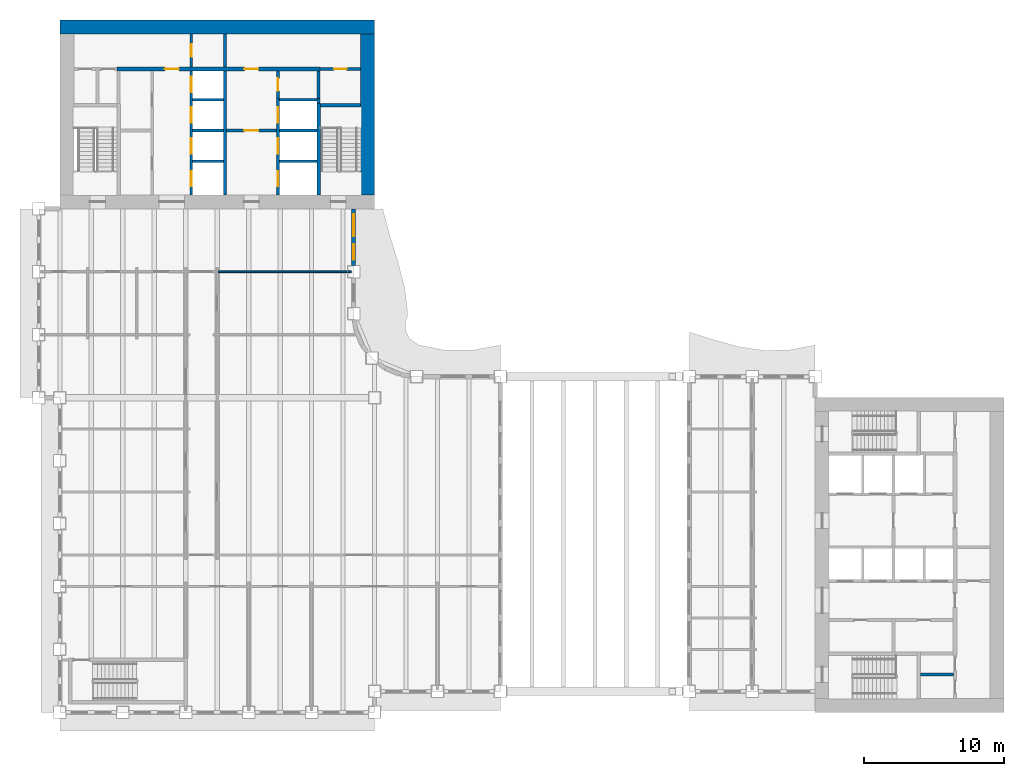
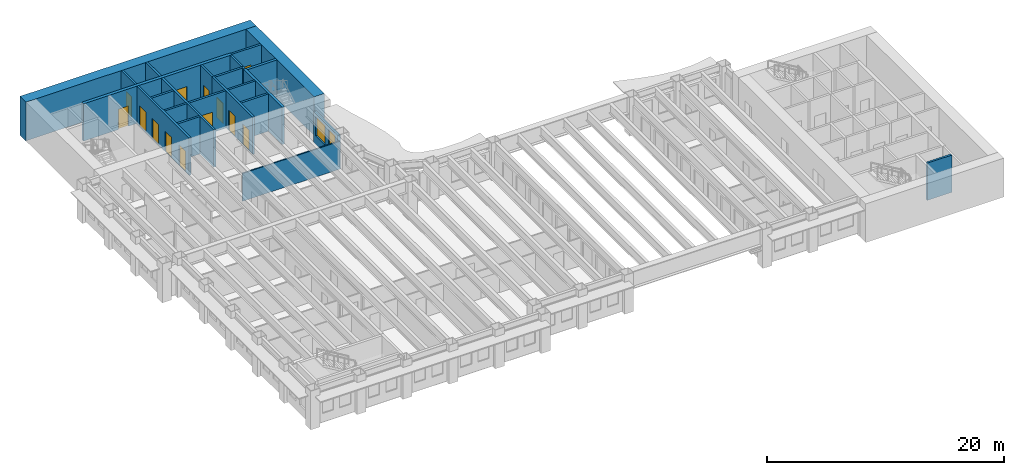
# One storey, part 8 of 13: 24 walls, 13 doors, 2 windows, 15 openings.
"""IFC4 building model written with IfcOpenShell, lengths in metres."""

from ifc_helpers import new_model, si_unit, direction, frame, frame_2d, origin, place, context, subcontext, project, spatial, rectangle, extrude, material, layer, layer_set, type_object, element, fill, save


model = new_model("IFC4")

# Units and contexts
model_context = context("Model", 3, precision=1e-05, world=origin(), true_north=direction((0.0, 1.0)))
body_context = subcontext(model_context, "Body", "Model", "MODEL_VIEW")
ifc_project = project(units=[si_unit("LENGTHUNIT", "METRE"), si_unit("AREAUNIT", "SQUARE_METRE"), si_unit("VOLUMEUNIT", "CUBIC_METRE"), si_unit("PLANEANGLEUNIT", "RADIAN"), si_unit("MASSUNIT", "GRAM", prefix="KILO")], contexts=[model_context])

# Site, building, storey
site_placement = place(None, origin())
site = spatial("IfcSite", under=ifc_project, at=site_placement, CompositionType="ELEMENT")
building_placement = place(site_placement, origin())
building = spatial("IfcBuilding", under=site, at=building_placement, Name="Sennacour Bend Tower", CompositionType="ELEMENT")
storey_placement = place(building_placement, frame((0.0, 0.0, 147.0)))
storey = spatial("IfcBuildingStorey", under=building, at=storey_placement, Name="L33", CompositionType="ELEMENT", Elevation=147.0)

# Walls
ifc_material_1 = material(Name="Concrete C60/75", Category="concrete")
ifc_layer_1 = layer(ifc_material_1, 1.0, Name="Concrete C60/75", Category="concrete")
ifc_layer_set_1 = layer_set([ifc_layer_1], Name="Concrete C60/75")
wall_type_1 = type_object("IfcWallType", Name="Core wall 1000 C60/75", PredefinedType="SHEAR", material=ifc_layer_set_1)
wall_1_placement = place(storey_placement, frame((0.0, 49.0, -0.14990234375), z_axis=(0.0, 0.0, 1.0), x_axis=(1.0, 0.0, 0.0)))
element("IfcWall", 1, at=wall_1_placement, inside=storey, type_object=wall_type_1, Name="Core B wall L33 N", PredefinedType="SHEAR", context=body_context, shape_type="SweptSolid", body=[
    extrude(rectangle(XDim=22.5, YDim=1.0, at=frame_2d((11.25, 0.0))), origin(), (0.0, 0.0, 1.0), 4.0),
])
wall_2_placement = place(storey_placement, frame((22.0, 37.0, -0.14990234375), z_axis=(0.0, 0.0, 1.0), x_axis=(0.0, 1.0, 0.0)))
element("IfcWall", 2, at=wall_2_placement, inside=storey, type_object=wall_type_1, Name="Core B wall L33 E", PredefinedType="SHEAR", context=body_context, shape_type="SweptSolid", body=[
    extrude(rectangle(XDim=11.5, YDim=1.0, at=frame_2d((5.75, 0.0))), origin(), (0.0, 0.0, 1.0), 4.0),
])
ifc_material_2 = material(Name="Plasterboard partition on steel studs", Category="steel")
ifc_layer_2 = layer(ifc_material_2, 0.1201171875, Name="Plasterboard partition on steel studs", Category="steel")
ifc_layer_set_2 = layer_set([ifc_layer_2], Name="Plasterboard partition on steel studs")
wall_type_2 = type_object("IfcWallType", Name="Partition 120", PredefinedType="PARTITIONING", material=ifc_layer_set_2)
wall_3_placement = place(storey_placement, frame((11.31005859375, 31.5, 0.0), z_axis=(0.0, 0.0, 1.0), x_axis=(1.0, 0.0, 0.0)))
element("IfcWall", 3, at=wall_3_placement, inside=storey, type_object=wall_type_2, Name="P-L33-W076ae", PredefinedType="PARTITIONING", context=body_context, shape_type="SweptSolid", body=[
    extrude(rectangle(XDim=9.5400390625, YDim=0.1201171875, at=frame_2d((4.77001953125, 0.0))), origin(), (0.0, 0.0, 1.0), 2.8701171875),
])

# Wall, opening, door
ifc_material_3 = material(Name="Fire-rated plasterboard partition on steel studs", Category="steel")
ifc_layer_3 = layer(ifc_material_3, 0.199951171875, Name="Fire-rated plasterboard partition on steel studs", Category="steel")
ifc_layer_set_3 = layer_set([ifc_layer_3], Name="Fire-rated plasterboard partition on steel studs")
wall_type_3 = type_object("IfcWallType", Name="Rated partition 200", PredefinedType="PARTITIONING", material=ifc_layer_set_3)
wall_4_placement = place(storey_placement, frame((9.39990234375, 46.14990234375, 0.0), z_axis=(0.0, 0.0, 1.0), x_axis=(0.0, 1.0, 0.0)))
wall_4 = element("IfcWall", 4, at=wall_4_placement, inside=storey, type_object=wall_type_3, Name="P-L33-W015", PredefinedType="PARTITIONING", context=body_context, shape_type="SweptSolid", body=[
    extrude(rectangle(XDim=2.35009765625, YDim=0.199951171875, at=frame_2d((1.175048828125, 0.0))), origin(), (0.0, 0.0, 1.0), 3.85009765625),
])
opening_1_placement = place(wall_4_placement, frame((0.72509765625, 0.0, 0.0)))
opening_1 = element("IfcOpeningElement", 5, at=opening_1_placement, cuts=wall_4, Name="Opening SV", PredefinedType="OPENING", context=body_context, shape_type="SweptSolid", body=[
    extrude(rectangle(XDim=0.89990234375, YDim=2.10009765625, at=frame_2d((0.449951171875, 1.050048828125))), frame((0.0, 0.10986328125, 0.0), z_axis=(0.0, -1.0, 0.0), x_axis=(1.0, 0.0, 0.0)), (0.0, 0.0, 1.0), 0.219970703125),
])
ifc_material_4 = material(Name="Painted steel", Category="steel")
door_type_1 = type_object("IfcDoorType", Name="DR-SERVICE-900", OperationType="NOTDEFINED", PredefinedType="DOOR", material=ifc_material_4)
door_1_placement = place(opening_1_placement, origin())
door_1 = element("IfcDoor", 6, at=door_1_placement, inside=storey, type_object=door_type_1, Name="Door", OperationType="SINGLE_SWING_RIGHT", OverallHeight=2.10009765625, OverallWidth=0.89990234375, PredefinedType="DOOR", context=body_context, shape_type="SweptSolid", body=[
    extrude(rectangle(XDim=0.89990234375, YDim=2.10009765625, at=frame_2d((0.449951171875, 1.050048828125))), frame((0.0, 0.02490234375, 0.0), z_axis=(0.0, -1.0, 0.0), x_axis=(1.0, 0.0, 0.0)), (0.0, 0.0, 1.0), 0.050048828125),
])
fill(opening_1, door_1)

# Wall
wall_5_placement = place(storey_placement, frame((11.800048828125, 46.14990234375, 0.0), z_axis=(0.0, 0.0, 1.0), x_axis=(0.0, 1.0, 0.0)))
element("IfcWall", 7, at=wall_5_placement, inside=storey, type_object=wall_type_3, Name="P-L33-W018", PredefinedType="PARTITIONING", context=body_context, shape_type="SweptSolid", body=[
    extrude(rectangle(XDim=2.35009765625, YDim=0.199951171875, at=frame_2d((1.175048828125, 0.0))), origin(), (0.0, 0.0, 1.0), 3.85009765625),
])

# Wall, opening, door
wall_6_placement = place(storey_placement, frame((15.60009765625, 43.89990234375, 0.0), z_axis=(0.0, 0.0, 1.0), x_axis=(0.0, 1.0, 0.0)))
wall_6 = element("IfcWall", 8, at=wall_6_placement, inside=storey, type_object=wall_type_3, Name="P-L33-W021", PredefinedType="PARTITIONING", context=body_context, shape_type="SweptSolid", body=[
    extrude(rectangle(XDim=1.9501953125, YDim=0.199951171875, at=frame_2d((0.97509765625, 0.0))), origin(), (0.0, 0.0, 1.0), 3.85009765625),
])
opening_2_placement = place(wall_6_placement, frame((0.525146484375, 0.0, 0.0)))
opening_2 = element("IfcOpeningElement", 9, at=opening_2_placement, cuts=wall_6, Name="Opening SV", PredefinedType="OPENING", context=body_context, shape_type="SweptSolid", body=[
    extrude(rectangle(XDim=0.89990234375, YDim=2.10009765625, at=frame_2d((0.449951171875, 1.050048828125))), frame((0.0, 0.10986328125, 0.0), z_axis=(0.0, -1.0, 0.0), x_axis=(1.0, 0.0, 0.0)), (0.0, 0.0, 1.0), 0.219970703125),
])
door_2_placement = place(opening_2_placement, origin())
door_2 = element("IfcDoor", 10, at=door_2_placement, inside=storey, type_object=door_type_1, Name="Door", OperationType="SINGLE_SWING_RIGHT", OverallHeight=2.10009765625, OverallWidth=0.89990234375, PredefinedType="DOOR", context=body_context, shape_type="SweptSolid", body=[
    extrude(rectangle(XDim=0.89990234375, YDim=2.10009765625, at=frame_2d((0.449951171875, 1.050048828125))), frame((0.0, 0.02490234375, 0.0), z_axis=(0.0, -1.0, 0.0), x_axis=(1.0, 0.0, 0.0)), (0.0, 0.0, 1.0), 0.050048828125),
])
fill(opening_2, door_2)

# Walls
wall_7_placement = place(storey_placement, frame((18.5, 43.89990234375, 0.0), z_axis=(0.0, 0.0, 1.0), x_axis=(0.0, 1.0, 0.0)))
element("IfcWall", 11, at=wall_7_placement, inside=storey, type_object=wall_type_3, Name="P-L33-W025", PredefinedType="PARTITIONING", context=body_context, shape_type="SweptSolid", body=[
    extrude(rectangle(XDim=1.9501953125, YDim=0.199951171875, at=frame_2d((0.97509765625, 0.0))), origin(), (0.0, 0.0, 1.0), 3.85009765625),
])
wall_8_placement = place(storey_placement, frame((61.52490234375, 2.699951171875, 0.0), z_axis=(0.0, 0.0, 1.0), x_axis=(1.0, 0.0, 0.0)))
element("IfcWall", 12, at=wall_8_placement, inside=storey, type_object=wall_type_3, Name="P-L33-W048", PredefinedType="PARTITIONING", context=body_context, shape_type="SweptSolid", body=[
    extrude(rectangle(XDim=2.375, YDim=0.199951171875, at=frame_2d((1.1875, 0.0))), origin(), (0.0, 0.0, 1.0), 3.85009765625),
])

# Wall, opening, door
wall_9_placement = place(storey_placement, frame((18.60009765625, 46.0, 0.0), z_axis=(0.0, 0.0, 1.0), x_axis=(1.0, 0.0, 0.0)))
wall_9 = element("IfcWall", 13, at=wall_9_placement, inside=storey, type_object=wall_type_3, Name="P-L33-W090", PredefinedType="PARTITIONING", context=body_context, shape_type="SweptSolid", body=[
    extrude(rectangle(XDim=2.89990234375, YDim=0.199951171875, at=frame_2d((1.449951171875, 0.0))), origin(), (0.0, 0.0, 1.0), 3.85009765625),
])
opening_3_placement = place(wall_9_placement, frame((1.0, 0.0, 0.0)))
opening_3 = element("IfcOpeningElement", 14, at=opening_3_placement, cuts=wall_9, Name="Opening WD", PredefinedType="OPENING", context=body_context, shape_type="SweptSolid", body=[
    extrude(rectangle(XDim=0.89990234375, YDim=2.10009765625, at=frame_2d((0.449951171875, 1.050048828125))), frame((0.0, 0.10986328125, 0.0), z_axis=(0.0, -1.0, 0.0), x_axis=(1.0, 0.0, 0.0)), (0.0, 0.0, 1.0), 0.219970703125),
])
ifc_material_5 = material(Name="Timber", Category="wood")
door_type_2 = type_object("IfcDoorType", Name="DR-WC-900", OperationType="NOTDEFINED", PredefinedType="DOOR", material=ifc_material_5)
door_3_placement = place(opening_3_placement, origin())
door_3 = element("IfcDoor", 15, at=door_3_placement, inside=storey, type_object=door_type_2, Name="Door", OperationType="SINGLE_SWING_LEFT", OverallHeight=2.10009765625, OverallWidth=0.89990234375, PredefinedType="DOOR", context=body_context, shape_type="SweptSolid", body=[
    extrude(rectangle(XDim=0.89990234375, YDim=2.10009765625, at=frame_2d((0.449951171875, 1.050048828125))), frame((0.0, 0.02490234375, 0.0), z_axis=(0.0, -1.0, 0.0), x_axis=(1.0, 0.0, 0.0)), (0.0, 0.0, 1.0), 0.050048828125),
])
fill(opening_3, door_3)

ifc_layer_4 = layer(ifc_material_3, 0.199951171875, Name="Fire-rated plasterboard partition on steel studs", Category="steel")
ifc_layer_set_4 = layer_set([ifc_layer_4], Name="Fire-rated plasterboard partition on steel studs")
wall_type_4 = type_object("IfcWallType", Name="Rated partition 200 EI 90", PredefinedType="PARTITIONING", material=ifc_layer_set_4)
wall_10_placement = place(storey_placement, frame((11.89990234375, 41.60009765625, 0.0), z_axis=(0.0, 0.0, 1.0), x_axis=(1.0, 0.0, 0.0)))
wall_10 = element("IfcWall", 16, at=wall_10_placement, inside=storey, type_object=wall_type_4, Name="P-L33-W082", PredefinedType="PARTITIONING", context=body_context, shape_type="SweptSolid", body=[
    extrude(rectangle(XDim=3.60009765625, YDim=0.199951171875, at=frame_2d((1.800048828125, 0.0))), origin(), (0.0, 0.0, 1.0), 3.85009765625),
])
opening_4_placement = place(wall_10_placement, frame((1.300048828125, 0.0, 0.0)))
opening_4 = element("IfcOpeningElement", 17, at=opening_4_placement, cuts=wall_10, Name="Opening FD2", PredefinedType="OPENING", context=body_context, shape_type="SweptSolid", body=[
    extrude(rectangle(XDim=1.0, YDim=2.10009765625, at=frame_2d((0.5, 1.050048828125))), frame((0.0, 0.10986328125, 0.0), z_axis=(0.0, -1.0, 0.0), x_axis=(1.0, 0.0, 0.0)), (0.0, 0.0, 1.0), 0.219970703125),
])
door_type_3 = type_object("IfcDoorType", Name="DR-FFL-1000", OperationType="NOTDEFINED", PredefinedType="DOOR", material=ifc_material_4)
door_4_placement = place(opening_4_placement, origin())
door_4 = element("IfcDoor", 18, at=door_4_placement, inside=storey, type_object=door_type_3, Name="Door", OperationType="SINGLE_SWING_RIGHT", OverallHeight=2.10009765625, OverallWidth=1.0, PredefinedType="DOOR", context=body_context, shape_type="SweptSolid", body=[
    extrude(rectangle(XDim=1.0, YDim=2.10009765625, at=frame_2d((0.5, 1.050048828125))), frame((0.0, 0.02490234375, 0.0), z_axis=(0.0, -1.0, 0.0), x_axis=(1.0, 0.0, 0.0)), (0.0, 0.0, 1.0), 0.050048828125),
])
fill(opening_4, door_4)

# Wall, openings, windows
ifc_material_6 = material(Name="Warm limestone cladding", Category="masonry")
ifc_layer_5 = layer(ifc_material_6, 0.050048828125, Name="Warm limestone cladding", Category="masonry")
ifc_material_7 = material(Name="Precast concrete C40/50", Category="concrete")
ifc_layer_6 = layer(ifc_material_7, 0.25, Name="Precast concrete C40/50", Category="concrete")
ifc_layer_set_5 = layer_set([ifc_layer_5, ifc_layer_6], Name="Precast concrete C40/50 with limestone cladding")
wall_type_5 = type_object("IfcWallType", Name="STONE-CLAD PRECAST SPANDREL 300", PredefinedType="STANDARD", material=ifc_layer_set_5)
wall_11_placement = place(storey_placement, frame((21.0, 31.949951171875, 0.0), z_axis=(0.0, 0.0, 1.0), x_axis=(0.0, 1.0, 0.0)))
wall_11 = element("IfcWall", 19, at=wall_11_placement, inside=storey, type_object=wall_type_5, Name="Stone spandrel and pier wall L33 15.01", PredefinedType="STANDARD", context=body_context, shape_type="SweptSolid", body=[
    extrude(rectangle(XDim=4.050048828125, YDim=0.300048828125, at=frame_2d((2.02490234375, 0.0))), origin(), (0.0, 0.0, 1.0), 3.14892578125),
])
opening_5_placement = place(wall_11_placement, frame((0.39990234375, 0.0, 0.89990234375)))
opening_5 = element("IfcOpeningElement", 20, at=opening_5_placement, cuts=wall_11, Name="Opening W19", PredefinedType="OPENING", context=body_context, shape_type="SweptSolid", body=[
    extrude(rectangle(XDim=1.10009765625, YDim=2.0, at=frame_2d((0.550048828125, 1.0))), frame((0.0, 0.16015625, 0.0), z_axis=(0.0, -1.0, 0.0), x_axis=(1.0, 0.0, 0.0)), (0.0, 0.0, 1.0), 0.320068359375),
])
opening_6_placement = place(wall_11_placement, frame((2.10009765625, 0.0, 0.89990234375)))
opening_6 = element("IfcOpeningElement", 21, at=opening_6_placement, cuts=wall_11, Name="Opening W9", PredefinedType="OPENING", context=body_context, shape_type="SweptSolid", body=[
    extrude(rectangle(XDim=1.550048828125, YDim=2.0, at=frame_2d((0.77490234375, 1.0))), frame((0.0, 0.16015625, 0.0), z_axis=(0.0, -1.0, 0.0), x_axis=(1.0, 0.0, 0.0)), (0.0, 0.0, 1.0), 0.320068359375),
])
ifc_material_8 = material(Name="Clear low-emissivity glass", Category="glass")
window_type_1 = type_object("IfcWindowType", Name="WIN-RIBBON-1100x2000", PartitioningType="SINGLE_PANEL", PredefinedType="WINDOW", material=ifc_material_8)
window_1_placement = place(opening_5_placement, origin())
window_1 = element("IfcWindow", 22, at=window_1_placement, inside=storey, type_object=window_type_1, Name="Ribbon window L33 15.01.0", OverallHeight=2.0, OverallWidth=1.10009765625, PartitioningType="SINGLE_PANEL", PredefinedType="WINDOW", context=body_context, shape_type="SweptSolid", body=[
    extrude(rectangle(XDim=1.10009765625, YDim=2.0, at=frame_2d((0.550048828125, 1.0))), frame((0.0, 0.030029296875, 0.0), z_axis=(0.0, -1.0, 0.0), x_axis=(1.0, 0.0, 0.0)), (0.0, 0.0, 1.0), 0.06005859375),
])
fill(opening_5, window_1)
window_type_2 = type_object("IfcWindowType", Name="WIN-RIBBON-1550x2000", PartitioningType="SINGLE_PANEL", PredefinedType="WINDOW", material=ifc_material_8)
window_2_placement = place(opening_6_placement, origin())
window_2 = element("IfcWindow", 23, at=window_2_placement, inside=storey, type_object=window_type_2, Name="Ribbon window L33 15.01.1", OverallHeight=2.0, OverallWidth=1.550048828125, PartitioningType="SINGLE_PANEL", PredefinedType="WINDOW", context=body_context, shape_type="SweptSolid", body=[
    extrude(rectangle(XDim=1.550048828125, YDim=2.0, at=frame_2d((0.77490234375, 1.0))), frame((0.0, 0.030029296875, 0.0), z_axis=(0.0, -1.0, 0.0), x_axis=(1.0, 0.0, 0.0)), (0.0, 0.0, 1.0), 0.06005859375),
])
fill(opening_6, window_2)

# Wall, openings, doors
ifc_material_9 = material(Name="Concrete C50/60", Category="concrete")
ifc_layer_7 = layer(ifc_material_9, 0.199951171875, Name="Concrete C50/60", Category="concrete")
ifc_layer_set_6 = layer_set([ifc_layer_7], Name="Concrete C50/60")
wall_type_6 = type_object("IfcWallType", Name="Shaft wall 200", PredefinedType="SOLIDWALL", material=ifc_layer_set_6)
wall_12_placement = place(storey_placement, frame((9.39990234375, 37.0, 0.0), z_axis=(0.0, 0.0, 1.0), x_axis=(0.0, 1.0, 0.0)))
wall_12 = element("IfcWall", 24, at=wall_12_placement, inside=storey, type_object=wall_type_6, Name="P-L33-W014", PredefinedType="SOLIDWALL", context=body_context, shape_type="SweptSolid", body=[
    extrude(rectangle(XDim=8.85009765625, YDim=0.199951171875, at=frame_2d((4.425048828125, 0.0))), origin(), (0.0, 0.0, 1.0), 3.85009765625),
])
opening_7_placement = place(wall_12_placement, frame((0.60009765625, 0.0, 0.011962890625)))
opening_7 = element("IfcOpeningElement", 25, at=opening_7_placement, cuts=wall_12, Name="Opening LD", PredefinedType="OPENING", context=body_context, shape_type="SweptSolid", body=[
    extrude(rectangle(XDim=1.10009765625, YDim=2.10009765625, at=frame_2d((0.550048828125, 1.050048828125))), frame((0.0, 0.10986328125, 0.0), z_axis=(0.0, -1.0, 0.0), x_axis=(1.0, 0.0, 0.0)), (0.0, 0.0, 1.0), 0.219970703125),
])
opening_8_placement = place(wall_12_placement, frame((2.949951171875, 0.0, 0.011962890625)))
opening_8 = element("IfcOpeningElement", 26, at=opening_8_placement, cuts=wall_12, Name="Opening LD", PredefinedType="OPENING", context=body_context, shape_type="SweptSolid", body=[
    extrude(rectangle(XDim=1.10009765625, YDim=2.10009765625, at=frame_2d((0.550048828125, 1.050048828125))), frame((0.0, 0.10986328125, 0.0), z_axis=(0.0, -1.0, 0.0), x_axis=(1.0, 0.0, 0.0)), (0.0, 0.0, 1.0), 0.219970703125),
])
opening_9_placement = place(wall_12_placement, frame((5.14990234375, 0.0, 0.011962890625)))
opening_9 = element("IfcOpeningElement", 27, at=opening_9_placement, cuts=wall_12, Name="Opening LD", PredefinedType="OPENING", context=body_context, shape_type="SweptSolid", body=[
    extrude(rectangle(XDim=1.10009765625, YDim=2.10009765625, at=frame_2d((0.550048828125, 1.050048828125))), frame((0.0, 0.10986328125, 0.0), z_axis=(0.0, -1.0, 0.0), x_axis=(1.0, 0.0, 0.0)), (0.0, 0.0, 1.0), 0.219970703125),
])
opening_10_placement = place(wall_12_placement, frame((7.324951171875, 0.0, 0.011962890625)))
opening_10 = element("IfcOpeningElement", 28, at=opening_10_placement, cuts=wall_12, Name="Opening LD", PredefinedType="OPENING", context=body_context, shape_type="SweptSolid", body=[
    extrude(rectangle(XDim=1.10009765625, YDim=2.10009765625, at=frame_2d((0.550048828125, 1.050048828125))), frame((0.0, 0.10986328125, 0.0), z_axis=(0.0, -1.0, 0.0), x_axis=(1.0, 0.0, 0.0)), (0.0, 0.0, 1.0), 0.219970703125),
])
ifc_material_10 = material(Name="Stainless steel", Category="steel")
door_type_4 = type_object("IfcDoorType", Name="DR-LANDING-1100", OperationType="NOTDEFINED", PredefinedType="DOOR", material=ifc_material_10)
door_5_placement = place(opening_7_placement, origin())
door_5 = element("IfcDoor", 29, at=door_5_placement, inside=storey, type_object=door_type_4, Name="Lift landing door MB1", OperationType="SLIDING_TO_RIGHT", OverallHeight=2.10009765625, OverallWidth=1.10009765625, PredefinedType="DOOR", context=body_context, shape_type="SweptSolid", body=[
    extrude(rectangle(XDim=1.10009765625, YDim=2.10009765625, at=frame_2d((0.550048828125, 1.050048828125))), frame((0.0, 0.02490234375, 0.0), z_axis=(0.0, -1.0, 0.0), x_axis=(1.0, 0.0, 0.0)), (0.0, 0.0, 1.0), 0.050048828125),
])
fill(opening_7, door_5)
door_6_placement = place(opening_8_placement, origin())
door_6 = element("IfcDoor", 30, at=door_6_placement, inside=storey, type_object=door_type_4, Name="Lift landing door MB2", OperationType="SLIDING_TO_LEFT", OverallHeight=2.10009765625, OverallWidth=1.10009765625, PredefinedType="DOOR", context=body_context, shape_type="SweptSolid", body=[
    extrude(rectangle(XDim=1.10009765625, YDim=2.10009765625, at=frame_2d((0.550048828125, 1.050048828125))), frame((0.0, 0.02490234375, 0.0), z_axis=(0.0, -1.0, 0.0), x_axis=(1.0, 0.0, 0.0)), (0.0, 0.0, 1.0), 0.050048828125),
])
fill(opening_8, door_6)
door_7_placement = place(opening_9_placement, origin())
door_7 = element("IfcDoor", 31, at=door_7_placement, inside=storey, type_object=door_type_4, Name="Lift landing door MB3", OperationType="SLIDING_TO_RIGHT", OverallHeight=2.10009765625, OverallWidth=1.10009765625, PredefinedType="DOOR", context=body_context, shape_type="SweptSolid", body=[
    extrude(rectangle(XDim=1.10009765625, YDim=2.10009765625, at=frame_2d((0.550048828125, 1.050048828125))), frame((0.0, 0.02490234375, 0.0), z_axis=(0.0, -1.0, 0.0), x_axis=(1.0, 0.0, 0.0)), (0.0, 0.0, 1.0), 0.050048828125),
])
fill(opening_9, door_7)
door_8_placement = place(opening_10_placement, origin())
door_8 = element("IfcDoor", 32, at=door_8_placement, inside=storey, type_object=door_type_4, Name="Lift landing door MB4", OperationType="SLIDING_TO_LEFT", OverallHeight=2.10009765625, OverallWidth=1.10009765625, PredefinedType="DOOR", context=body_context, shape_type="SweptSolid", body=[
    extrude(rectangle(XDim=1.10009765625, YDim=2.10009765625, at=frame_2d((0.550048828125, 1.050048828125))), frame((0.0, 0.02490234375, 0.0), z_axis=(0.0, -1.0, 0.0), x_axis=(1.0, 0.0, 0.0)), (0.0, 0.0, 1.0), 0.050048828125),
])
fill(opening_10, door_8)

# Wall
wall_13_placement = place(storey_placement, frame((11.800048828125, 37.0, 0.0), z_axis=(0.0, 0.0, 1.0), x_axis=(0.0, 1.0, 0.0)))
element("IfcWall", 33, at=wall_13_placement, inside=storey, type_object=wall_type_6, Name="P-L33-W017", PredefinedType="SOLIDWALL", context=body_context, shape_type="SweptSolid", body=[
    extrude(rectangle(XDim=8.85009765625, YDim=0.199951171875, at=frame_2d((4.425048828125, 0.0))), origin(), (0.0, 0.0, 1.0), 3.85009765625),
])

# Wall, openings, doors
wall_14_placement = place(storey_placement, frame((15.60009765625, 37.0, 0.0), z_axis=(0.0, 0.0, 1.0), x_axis=(0.0, 1.0, 0.0)))
wall_14 = element("IfcWall", 34, at=wall_14_placement, inside=storey, type_object=wall_type_6, Name="P-L33-W020", PredefinedType="SOLIDWALL", context=body_context, shape_type="SweptSolid", body=[
    extrude(rectangle(XDim=6.89990234375, YDim=0.199951171875, at=frame_2d((3.449951171875, 0.0))), origin(), (0.0, 0.0, 1.0), 3.85009765625),
])
opening_11_placement = place(wall_14_placement, frame((0.60009765625, 0.0, 0.011962890625)))
opening_11 = element("IfcOpeningElement", 35, at=opening_11_placement, cuts=wall_14, Name="Opening FLD", PredefinedType="OPENING", context=body_context, shape_type="SweptSolid", body=[
    extrude(rectangle(XDim=1.10009765625, YDim=2.10009765625, at=frame_2d((0.550048828125, 1.050048828125))), frame((0.0, 0.10986328125, 0.0), z_axis=(0.0, -1.0, 0.0), x_axis=(1.0, 0.0, 0.0)), (0.0, 0.0, 1.0), 0.219970703125),
])
opening_12_placement = place(wall_14_placement, frame((2.949951171875, 0.0, 0.011962890625)))
opening_12 = element("IfcOpeningElement", 36, at=opening_12_placement, cuts=wall_14, Name="Opening FLD", PredefinedType="OPENING", context=body_context, shape_type="SweptSolid", body=[
    extrude(rectangle(XDim=1.10009765625, YDim=2.10009765625, at=frame_2d((0.550048828125, 1.050048828125))), frame((0.0, 0.10986328125, 0.0), z_axis=(0.0, -1.0, 0.0), x_axis=(1.0, 0.0, 0.0)), (0.0, 0.0, 1.0), 0.219970703125),
])
opening_13_placement = place(wall_14_placement, frame((5.14990234375, 0.0, 0.011962890625)))
opening_13 = element("IfcOpeningElement", 37, at=opening_13_placement, cuts=wall_14, Name="Opening LD", PredefinedType="OPENING", context=body_context, shape_type="SweptSolid", body=[
    extrude(rectangle(XDim=1.10009765625, YDim=2.10009765625, at=frame_2d((0.550048828125, 1.050048828125))), frame((0.0, 0.10986328125, 0.0), z_axis=(0.0, -1.0, 0.0), x_axis=(1.0, 0.0, 0.0)), (0.0, 0.0, 1.0), 0.219970703125),
])
door_type_5 = type_object("IfcDoorType", Name="DR-FF-LANDING-1100", OperationType="NOTDEFINED", PredefinedType="DOOR", material=ifc_material_10)
door_9_placement = place(opening_11_placement, origin())
door_9 = element("IfcDoor", 38, at=door_9_placement, inside=storey, type_object=door_type_5, Name="Fire service lift landing door FB1", OperationType="SLIDING_TO_RIGHT", OverallHeight=2.10009765625, OverallWidth=1.10009765625, PredefinedType="DOOR", context=body_context, shape_type="SweptSolid", body=[
    extrude(rectangle(XDim=1.10009765625, YDim=2.10009765625, at=frame_2d((0.550048828125, 1.050048828125))), frame((0.0, 0.02490234375, 0.0), z_axis=(0.0, -1.0, 0.0), x_axis=(1.0, 0.0, 0.0)), (0.0, 0.0, 1.0), 0.050048828125),
])
fill(opening_11, door_9)
door_10_placement = place(opening_12_placement, origin())
door_10 = element("IfcDoor", 39, at=door_10_placement, inside=storey, type_object=door_type_5, Name="Fire service lift landing door FB2", OperationType="SLIDING_TO_LEFT", OverallHeight=2.10009765625, OverallWidth=1.10009765625, PredefinedType="DOOR", context=body_context, shape_type="SweptSolid", body=[
    extrude(rectangle(XDim=1.10009765625, YDim=2.10009765625, at=frame_2d((0.550048828125, 1.050048828125))), frame((0.0, 0.02490234375, 0.0), z_axis=(0.0, -1.0, 0.0), x_axis=(1.0, 0.0, 0.0)), (0.0, 0.0, 1.0), 0.050048828125),
])
fill(opening_12, door_10)
door_11_placement = place(opening_13_placement, origin())
door_11 = element("IfcDoor", 40, at=door_11_placement, inside=storey, type_object=door_type_4, Name="Lift landing door MB5", OperationType="SLIDING_TO_RIGHT", OverallHeight=2.10009765625, OverallWidth=1.10009765625, PredefinedType="DOOR", context=body_context, shape_type="SweptSolid", body=[
    extrude(rectangle(XDim=1.10009765625, YDim=2.10009765625, at=frame_2d((0.550048828125, 1.050048828125))), frame((0.0, 0.02490234375, 0.0), z_axis=(0.0, -1.0, 0.0), x_axis=(1.0, 0.0, 0.0)), (0.0, 0.0, 1.0), 0.050048828125),
])
fill(opening_13, door_11)

# Walls
wall_15_placement = place(storey_placement, frame((18.5, 43.52490234375, 0.0), z_axis=(0.0, 0.0, 1.0), x_axis=(0.0, 1.0, 0.0)))
element("IfcWall", 41, at=wall_15_placement, inside=storey, type_object=wall_type_6, Name="P-L33-W024", PredefinedType="SOLIDWALL", context=body_context, shape_type="SweptSolid", body=[
    extrude(rectangle(XDim=0.375, YDim=0.199951171875, at=frame_2d((0.1875, 0.0))), origin(), (0.0, 0.0, 1.0), 3.85009765625),
])
wall_16_placement = place(storey_placement, frame((9.5, 39.39990234375, 0.0), z_axis=(0.0, 0.0, 1.0), x_axis=(1.0, 0.0, 0.0)))
element("IfcWall", 42, at=wall_16_placement, inside=storey, type_object=wall_type_6, Name="P-L33-W078", PredefinedType="SOLIDWALL", context=body_context, shape_type="SweptSolid", body=[
    extrude(rectangle(XDim=2.199951171875, YDim=0.199951171875, at=frame_2d((1.10009765625, 0.0))), origin(), (0.0, 0.0, 1.0), 3.85009765625),
])
wall_17_placement = place(storey_placement, frame((15.699951171875, 39.39990234375, 0.0), z_axis=(0.0, 0.0, 1.0), x_axis=(1.0, 0.0, 0.0)))
element("IfcWall", 43, at=wall_17_placement, inside=storey, type_object=wall_type_6, Name="P-L33-W079", PredefinedType="SOLIDWALL", context=body_context, shape_type="SweptSolid", body=[
    extrude(rectangle(XDim=2.675048828125, YDim=0.199951171875, at=frame_2d((1.33740234375, 0.0))), origin(), (0.0, 0.0, 1.0), 3.85009765625),
])
wall_18_placement = place(storey_placement, frame((9.5, 41.60009765625, 0.0), z_axis=(0.0, 0.0, 1.0), x_axis=(1.0, 0.0, 0.0)))
element("IfcWall", 44, at=wall_18_placement, inside=storey, type_object=wall_type_6, Name="P-L33-W081", PredefinedType="SOLIDWALL", context=body_context, shape_type="SweptSolid", body=[
    extrude(rectangle(XDim=2.199951171875, YDim=0.199951171875, at=frame_2d((1.10009765625, 0.0))), origin(), (0.0, 0.0, 1.0), 3.85009765625),
])
wall_19_placement = place(storey_placement, frame((15.699951171875, 41.60009765625, 0.0), z_axis=(0.0, 0.0, 1.0), x_axis=(1.0, 0.0, 0.0)))
element("IfcWall", 45, at=wall_19_placement, inside=storey, type_object=wall_type_6, Name="P-L33-W083", PredefinedType="SOLIDWALL", context=body_context, shape_type="SweptSolid", body=[
    extrude(rectangle(XDim=2.675048828125, YDim=0.199951171875, at=frame_2d((1.33740234375, 0.0))), origin(), (0.0, 0.0, 1.0), 3.85009765625),
])
wall_20_placement = place(storey_placement, frame((9.5, 43.800048828125, 0.0), z_axis=(0.0, 0.0, 1.0), x_axis=(1.0, 0.0, 0.0)))
element("IfcWall", 46, at=wall_20_placement, inside=storey, type_object=wall_type_6, Name="P-L33-W086", PredefinedType="SOLIDWALL", context=body_context, shape_type="SweptSolid", body=[
    extrude(rectangle(XDim=2.199951171875, YDim=0.199951171875, at=frame_2d((1.10009765625, 0.0))), origin(), (0.0, 0.0, 1.0), 3.85009765625),
])
wall_21_placement = place(storey_placement, frame((15.699951171875, 43.800048828125, 0.0), z_axis=(0.0, 0.0, 1.0), x_axis=(1.0, 0.0, 0.0)))
element("IfcWall", 47, at=wall_21_placement, inside=storey, type_object=wall_type_6, Name="P-L33-W087", PredefinedType="SOLIDWALL", context=body_context, shape_type="SweptSolid", body=[
    extrude(rectangle(XDim=2.699951171875, YDim=0.199951171875, at=frame_2d((1.35009765625, 0.0))), origin(), (0.0, 0.0, 1.0), 3.85009765625),
])

# Wall, openings, doors
ifc_layer_8 = layer(ifc_material_1, 0.300048828125, Name="Concrete C60/75", Category="concrete")
ifc_layer_set_7 = layer_set([ifc_layer_8], Name="Concrete C60/75")
wall_type_7 = type_object("IfcWallType", Name="Spine wall 300", PredefinedType="SHEAR", material=ifc_layer_set_7)
wall_22_placement = place(storey_placement, frame((4.10009765625, 46.0, 0.0), z_axis=(0.0, 0.0, 1.0), x_axis=(1.0, 0.0, 0.0)))
wall_22 = element("IfcWall", 48, at=wall_22_placement, inside=storey, type_object=wall_type_7, Name="P-L33-W089", PredefinedType="SHEAR", context=body_context, shape_type="SweptSolid", body=[
    extrude(rectangle(XDim=14.5, YDim=0.300048828125, at=frame_2d((7.25, 0.0))), origin(), (0.0, 0.0, 1.0), 3.85009765625),
])
opening_14_placement = place(wall_22_placement, frame((3.39990234375, 0.0, 0.0)))
opening_14 = element("IfcOpeningElement", 49, at=opening_14_placement, cuts=wall_22, Name="Opening CD2", PredefinedType="OPENING", context=body_context, shape_type="SweptSolid", body=[
    extrude(rectangle(XDim=1.0, YDim=2.10009765625, at=frame_2d((0.5, 1.050048828125))), frame((0.0, 0.16015625, 0.0), z_axis=(0.0, -1.0, 0.0), x_axis=(1.0, 0.0, 0.0)), (0.0, 0.0, 1.0), 0.320068359375),
])
opening_15_placement = place(wall_22_placement, frame((9.099853515625, 0.0, 0.0)))
opening_15 = element("IfcOpeningElement", 50, at=opening_15_placement, cuts=wall_22, Name="Opening CD2", PredefinedType="OPENING", context=body_context, shape_type="SweptSolid", body=[
    extrude(rectangle(XDim=1.0, YDim=2.10009765625, at=frame_2d((0.5, 1.050048828125))), frame((0.0, 0.16015625, 0.0), z_axis=(0.0, -1.0, 0.0), x_axis=(1.0, 0.0, 0.0)), (0.0, 0.0, 1.0), 0.320068359375),
])
door_type_6 = type_object("IfcDoorType", Name="DR-LOBBY-1000", OperationType="NOTDEFINED", PredefinedType="DOOR", material=ifc_material_4)
door_12_placement = place(opening_14_placement, origin())
door_12 = element("IfcDoor", 51, at=door_12_placement, inside=storey, type_object=door_type_6, Name="Door", OperationType="SINGLE_SWING_LEFT", OverallHeight=2.10009765625, OverallWidth=1.0, PredefinedType="DOOR", context=body_context, shape_type="SweptSolid", body=[
    extrude(rectangle(XDim=1.0, YDim=2.10009765625, at=frame_2d((0.5, 1.050048828125))), frame((0.0, 0.02490234375, 0.0), z_axis=(0.0, -1.0, 0.0), x_axis=(1.0, 0.0, 0.0)), (0.0, 0.0, 1.0), 0.050048828125),
])
fill(opening_14, door_12)
door_13_placement = place(opening_15_placement, origin())
door_13 = element("IfcDoor", 52, at=door_13_placement, inside=storey, type_object=door_type_6, Name="Door", OperationType="SINGLE_SWING_RIGHT", OverallHeight=2.10009765625, OverallWidth=1.0, PredefinedType="DOOR", context=body_context, shape_type="SweptSolid", body=[
    extrude(rectangle(XDim=1.0, YDim=2.10009765625, at=frame_2d((0.5, 1.050048828125))), frame((0.0, 0.02490234375, 0.0), z_axis=(0.0, -1.0, 0.0), x_axis=(1.0, 0.0, 0.0)), (0.0, 0.0, 1.0), 0.050048828125),
])
fill(opening_15, door_13)

# Walls
ifc_layer_9 = layer(ifc_material_1, 0.25, Name="Concrete C60/75", Category="concrete")
ifc_layer_set_8 = layer_set([ifc_layer_9], Name="Concrete C60/75")
wall_type_8 = type_object("IfcWallType", Name="Stair wall 250", PredefinedType="SHEAR", material=ifc_layer_set_8)
wall_23_placement = place(storey_placement, frame((18.5, 37.0, 0.0), z_axis=(0.0, 0.0, 1.0), x_axis=(0.0, 1.0, 0.0)))
element("IfcWall", 53, at=wall_23_placement, inside=storey, type_object=wall_type_8, Name="P-L33-W023", PredefinedType="SHEAR", context=body_context, shape_type="SweptSolid", body=[
    extrude(rectangle(XDim=6.52490234375, YDim=0.25, at=frame_2d((3.262451171875, 0.0))), origin(), (0.0, 0.0, 1.0), 3.85009765625),
])
wall_24_placement = place(storey_placement, frame((18.625, 43.39990234375, 0.0), z_axis=(0.0, 0.0, 1.0), x_axis=(1.0, 0.0, 0.0)))
element("IfcWall", 54, at=wall_24_placement, inside=storey, type_object=wall_type_8, Name="P-L33-W085", PredefinedType="SHEAR", context=body_context, shape_type="SweptSolid", body=[
    extrude(rectangle(XDim=2.875, YDim=0.25, at=frame_2d((1.4375, 0.0))), origin(), (0.0, 0.0, 1.0), 3.85009765625),
])

save(model, "model.ifc")
